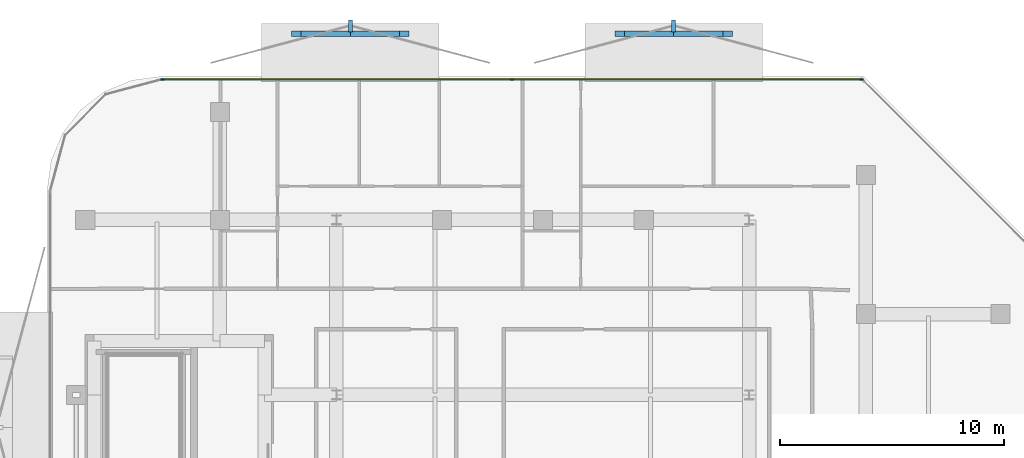
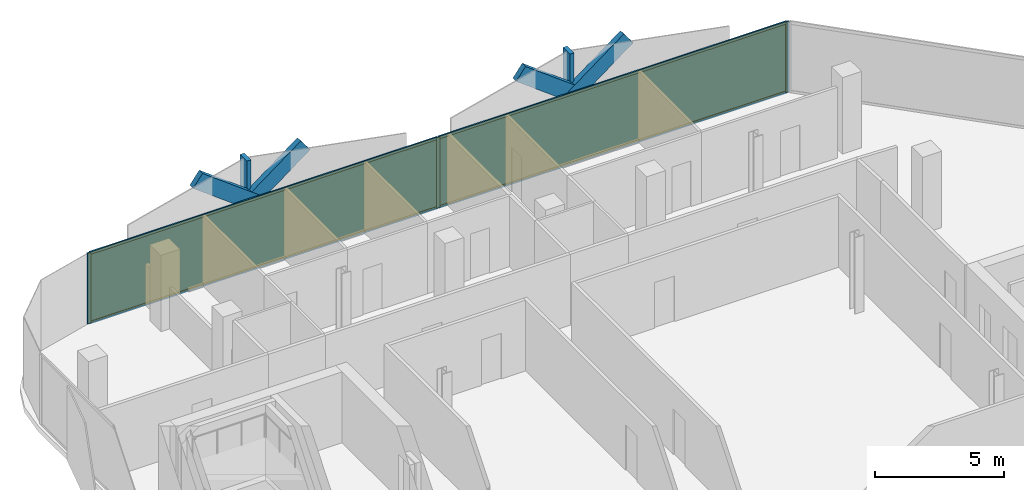
# One storey, part 11 of 16: 13 members, 2 plates, 1 curtain wall.
"""IFC4 building model written with IfcOpenShell, lengths in metres."""

from ifc_helpers import new_model, si_unit, direction, frame, frame_2d, origin, origin_2d, place, context, subcontext, project, spatial, rectangle, extrude, material, layer, layer_set, material_profile, profile_set, type_object, element, aggregate, save


model = new_model("IFC4")

# Units and contexts
model_context = context("Model", 3, precision=1e-05, world=origin(), true_north=direction((0.0, 1.0)))
body_context = subcontext(model_context, "Body", "Model", "MODEL_VIEW")
ifc_project = project(units=[si_unit("LENGTHUNIT", "METRE"), si_unit("AREAUNIT", "SQUARE_METRE"), si_unit("VOLUMEUNIT", "CUBIC_METRE"), si_unit("PLANEANGLEUNIT", "RADIAN"), si_unit("MASSUNIT", "GRAM", prefix="KILO")], contexts=[model_context])

# Member
ifc_material_1 = material(Name="Anodised Bronze Aluminium 6063-T6", Category="aluminium")
ifc_material_profile_1 = material_profile(ifc_material_1, rectangle(XDim=0.260009765625, YDim=0.699951171875, at=origin_2d()))
ifc_profile_set_1 = profile_set([ifc_material_profile_1], Name="Anodised Bronze Aluminium 6063-T6")
member_type_1 = type_object("IfcMemberType", Name="Bronze Diamond Solar-Screen Lattice Rib BDL-700", PredefinedType="MULLION", material=ifc_profile_set_1)
site_placement = place(None, origin())
building_placement = place(site_placement, origin())
storey_placement = place(building_placement, frame((0.0, 0.0, 258.39990234375)))
member_1_placement = place(storey_placement, frame((-10.9853515625, 26.89990234375, -0.1298828125), z_axis=(0.80031703872, 0.0, 0.599577048873), x_axis=(0.0, 1.0, 0.0)))
member_1 = element("IfcMember", 1, at=member_1_placement, type_object=member_type_1, Name="L61 Bronze Diamond Solar Screen Lattice Rib 421A", PredefinedType="MULLION", context=body_context, shape_type="SweptSolid", body=[
    extrude(rectangle(XDim=0.260009765625, YDim=0.699951171875, at=origin_2d()), origin(), (0.0, 0.0, 1.0), 6.00439453125),
])

member_2_placement = place(storey_placement, frame((-6.179931640625, 26.89990234375, -0.1298828125), z_axis=(-0.80031703872, 0.0, 0.599577048873), x_axis=(0.0, -1.0, 0.0)))
member_2 = element("IfcMember", 2, at=member_2_placement, type_object=member_type_1, Name="L61 Bronze Diamond Solar Screen Lattice Rib 421B", PredefinedType="MULLION", context=body_context, shape_type="SweptSolid", body=[
    extrude(rectangle(XDim=0.260009765625, YDim=0.699951171875, at=origin_2d()), origin(), (0.0, 0.0, 1.0), 6.00439453125),
])

member_3_placement = place(storey_placement, frame((3.43115234375, 26.89990234375, -0.1298828125), z_axis=(0.80031703872, 0.0, 0.599577048873), x_axis=(0.0, 1.0, 0.0)))
member_3 = element("IfcMember", 3, at=member_3_placement, type_object=member_type_1, Name="L61 Bronze Diamond Solar Screen Lattice Rib 422A", PredefinedType="MULLION", context=body_context, shape_type="SweptSolid", body=[
    extrude(rectangle(XDim=0.260009765625, YDim=0.699951171875, at=origin_2d()), origin(), (0.0, 0.0, 1.0), 6.00439453125),
])

member_4_placement = place(storey_placement, frame((8.236572265625, 26.89990234375, -0.1298828125), z_axis=(-0.80031703872, 0.0, 0.599577048873), x_axis=(0.0, -1.0, 0.0)))
member_4 = element("IfcMember", 4, at=member_4_placement, type_object=member_type_1, Name="L61 Bronze Diamond Solar Screen Lattice Rib 422B", PredefinedType="MULLION", context=body_context, shape_type="SweptSolid", body=[
    extrude(rectangle(XDim=0.260009765625, YDim=0.699951171875, at=origin_2d()), origin(), (0.0, 0.0, 1.0), 6.00439453125),
])

ifc_material_2 = material(Name="Anodised Bronze Aluminium 6063-T6", Category="aluminium")
ifc_material_profile_2 = material_profile(ifc_material_2, rectangle(XDim=0.179931640625, YDim=0.5400390625, at=origin_2d()))
ifc_profile_set_2 = profile_set([ifc_material_profile_2], Name="Anodised Bronze Aluminium 6063-T6")
member_type_2 = type_object("IfcMemberType", Name="Bronze Solar-Screen Vertical Fold Fin BSF-540", PredefinedType="MULLION", material=ifc_profile_set_2)
member_5_placement = place(storey_placement, frame((-8.58251953125, 27.239990234375, -0.1298828125), z_axis=(0.0, 0.0, 1.0), x_axis=(1.0, 0.0, 0.0)))
member_5 = element("IfcMember", 5, at=member_5_placement, type_object=member_type_2, Name="L61 Bronze Solar Screen Vertical Fin 421", PredefinedType="MULLION", context=body_context, shape_type="SweptSolid", body=[
    extrude(rectangle(XDim=0.179931640625, YDim=0.5400390625, at=origin_2d()), origin(), (0.0, 0.0, 1.0), 3.60009765625),
])

member_6_placement = place(storey_placement, frame((5.833740234375, 27.239990234375, -0.1298828125), z_axis=(0.0, 0.0, 1.0), x_axis=(1.0, 0.0, 0.0)))
member_6 = element("IfcMember", 6, at=member_6_placement, type_object=member_type_2, Name="L61 Bronze Solar Screen Vertical Fin 422", PredefinedType="MULLION", context=body_context, shape_type="SweptSolid", body=[
    extrude(rectangle(XDim=0.179931640625, YDim=0.5400390625, at=origin_2d()), origin(), (0.0, 0.0, 1.0), 3.60009765625),
])

ifc_material_3 = material(Name="Anodised Bronze Aluminium 6063-T6", Category="aluminium")
ifc_material_profile_3 = material_profile(ifc_material_3, rectangle(XDim=0.06005859375, YDim=0.159912109375, at=origin_2d()))
ifc_profile_set_3 = profile_set([ifc_material_profile_3], Name="Anodised Bronze Aluminium 6063-T6")
member_type_3 = type_object("IfcMemberType", Name="CW-Z4 Mullion 60x160", PredefinedType="MULLION", material=ifc_profile_set_3)
member_7_placement = place(storey_placement, frame((-16.960693359375, 24.860107421875, 0.0), z_axis=(0.0, 0.0, 1.0), x_axis=(0.0, 1.0, 0.0)))
member_7 = element("IfcMember", 7, at=member_7_placement, type_object=member_type_3, Name="CW-Z4 mullion 1", PredefinedType="MULLION", context=body_context, shape_type="SweptSolid", body=[
    extrude(rectangle(XDim=0.06005859375, YDim=0.159912109375, at=origin_2d()), origin(), (0.0, 0.0, 1.0), 3.340087890625),
])

member_8_placement = place(storey_placement, frame((-1.37451171875, 24.860107421875, 0.0), z_axis=(0.0, 0.0, 1.0), x_axis=(0.0, 1.0, 0.0)))
member_8 = element("IfcMember", 8, at=member_8_placement, type_object=member_type_3, Name="CW-Z4 mullion 2", PredefinedType="MULLION", context=body_context, shape_type="SweptSolid", body=[
    extrude(rectangle(XDim=0.06005859375, YDim=0.159912109375, at=origin_2d()), origin(), (0.0, 0.0, 1.0), 3.340087890625),
])

member_9_placement = place(storey_placement, frame((14.2119140625, 24.860107421875, 0.0), z_axis=(0.0, 0.0, 1.0), x_axis=(0.0, 1.0, 0.0)))
member_9 = element("IfcMember", 9, at=member_9_placement, type_object=member_type_3, Name="CW-Z4 mullion 3", PredefinedType="MULLION", context=body_context, shape_type="SweptSolid", body=[
    extrude(rectangle(XDim=0.06005859375, YDim=0.159912109375, at=origin_2d()), origin(), (0.0, 0.0, 1.0), 3.340087890625),
])

ifc_material_4 = material(Name="Anodised Bronze Aluminium 6063-T6", Category="aluminium")
ifc_material_profile_4 = material_profile(ifc_material_4, rectangle(XDim=0.06005859375, YDim=0.125, at=origin_2d()))
ifc_profile_set_4 = profile_set([ifc_material_profile_4], Name="Anodised Bronze Aluminium 6063-T6")
member_type_4 = type_object("IfcMemberType", Name="CW-Z4 Transom 60x125", PredefinedType="USERDEFINED", material=ifc_profile_set_4)
member_10_placement = place(storey_placement, frame((-16.930908203125, 24.860107421875, 0.030029296875), z_axis=(1.0, 0.0, 0.0), x_axis=(0.0, 1.0, 0.0)))
member_10 = element("IfcMember", 10, at=member_10_placement, type_object=member_type_4, Name="CW-Z4 transom 1.1", ObjectType="TRANSOM", PredefinedType="USERDEFINED", context=body_context, shape_type="SweptSolid", body=[
    extrude(rectangle(XDim=0.06005859375, YDim=0.125, at=origin_2d()), origin(), (0.0, 0.0, 1.0), 15.526611328125),
])

member_11_placement = place(storey_placement, frame((-16.930908203125, 24.860107421875, 3.31005859375), z_axis=(1.0, 0.0, 0.0), x_axis=(0.0, 1.0, 0.0)))
member_11 = element("IfcMember", 11, at=member_11_placement, type_object=member_type_4, Name="CW-Z4 transom 1.2", ObjectType="TRANSOM", PredefinedType="USERDEFINED", context=body_context, shape_type="SweptSolid", body=[
    extrude(rectangle(XDim=0.06005859375, YDim=0.125, at=origin_2d()), origin(), (0.0, 0.0, 1.0), 15.526611328125),
])

member_12_placement = place(storey_placement, frame((-1.344482421875, 24.860107421875, 0.030029296875), z_axis=(1.0, 0.0, 0.0), x_axis=(0.0, 1.0, 0.0)))
member_12 = element("IfcMember", 12, at=member_12_placement, type_object=member_type_4, Name="CW-Z4 transom 2.1", ObjectType="TRANSOM", PredefinedType="USERDEFINED", context=body_context, shape_type="SweptSolid", body=[
    extrude(rectangle(XDim=0.06005859375, YDim=0.125, at=origin_2d()), origin(), (0.0, 0.0, 1.0), 15.5263671875),
])

member_13_placement = place(storey_placement, frame((-1.344482421875, 24.860107421875, 3.31005859375), z_axis=(1.0, 0.0, 0.0), x_axis=(0.0, 1.0, 0.0)))
member_13 = element("IfcMember", 13, at=member_13_placement, type_object=member_type_4, Name="CW-Z4 transom 2.2", ObjectType="TRANSOM", PredefinedType="USERDEFINED", context=body_context, shape_type="SweptSolid", body=[
    extrude(rectangle(XDim=0.06005859375, YDim=0.125, at=origin_2d()), origin(), (0.0, 0.0, 1.0), 15.5263671875),
])

# Plate
ifc_material_5 = material(Name="Low-E Solar Control Laminated Glass", Category="glass")
ifc_layer_1 = layer(ifc_material_5, 0.030029296875, Name="Low-E Solar Control Laminated Glass")
ifc_layer_set_1 = layer_set([ifc_layer_1], Name="Low-E Solar Control Laminated Glass")
plate_type = type_object("IfcPlateType", Name="CW-Z4 Low-E Double Glazed Panel 30mm", PredefinedType="CURTAIN_PANEL", material=ifc_layer_set_1)
plate_1_placement = place(storey_placement, frame((-9.16748046875, 24.860107421875, 0.06005859375), z_axis=(0.0, 0.0, 1.0), x_axis=(1.0, 0.0, 0.0)))
plate_1 = element("IfcPlate", 14, at=plate_1_placement, type_object=plate_type, Name="CW-Z4 panel 1.1", PredefinedType="CURTAIN_PANEL", context=body_context, shape_type="SweptSolid", body=[
    extrude(rectangle(XDim=15.5263671875, YDim=0.030029296875, at=origin_2d()), origin(), (0.0, 0.0, 1.0), 3.219970703125),
])

plate_2_placement = place(storey_placement, frame((6.418701171875, 24.860107421875, 0.06005859375), z_axis=(0.0, 0.0, 1.0), x_axis=(1.0, 0.0, 0.0)))
plate_2 = element("IfcPlate", 15, at=plate_2_placement, type_object=plate_type, Name="CW-Z4 panel 2.1", PredefinedType="CURTAIN_PANEL", context=body_context, shape_type="SweptSolid", body=[
    extrude(rectangle(XDim=15.5263671875, YDim=0.030029296875, at=origin_2d()), origin(), (0.0, 0.0, 1.0), 3.219970703125),
])

# Site, building, storey
site = spatial("IfcSite", under=ifc_project, at=site_placement, CompositionType="ELEMENT")
building = spatial("IfcBuilding", under=site, at=building_placement, Name="Khairoan Windgate Tower", CompositionType="ELEMENT")
storey = spatial("IfcBuildingStorey", under=building, at=storey_placement, Name="L61", CompositionType="ELEMENT", Elevation=258.39990234375)

# Curtain wall
ifc_material_6 = material(Name="Anodised Bronze Aluminium 6063-T6", Category="aluminium")
ifc_layer_2 = layer(ifc_material_6, 0.159912109375, Name="Anodised Bronze Aluminium 6063-T6")
ifc_layer_set_2 = layer_set([ifc_layer_2], Name="Anodised Bronze Aluminium 6063-T6")
curtain_wall_type = type_object("IfcCurtainWallType", Name="Sky Residence Unitised Curtain Wall CW-Z4", PredefinedType="NOTDEFINED", material=ifc_layer_set_2)
curtain_wall_placement = place(storey_placement, frame((-16.99072265625, 24.860107421875, 0.0), z_axis=(0.0, 0.0, 1.0), x_axis=(1.0, 0.0, 0.0)))
curtain_wall = element("IfcCurtainWall", 16, at=curtain_wall_placement, inside=storey, type_object=curtain_wall_type, Name="L61 Unitised Curtain Wall 9", PredefinedType="NOTDEFINED", context=body_context, shape_type="SweptSolid", body=[
    extrude(rectangle(XDim=31.232666015625, YDim=0.010009765625, at=frame_2d((15.6162109375, 0.0))), origin(), (0.0, 0.0, 1.0), 3.340087890625),
])

aggregate(curtain_wall, [member_7, member_8, member_9, member_10, member_11, plate_1, member_12, member_13, plate_2, member_1, member_2, member_5, member_3, member_4, member_6])

save(model, "model.ifc")
